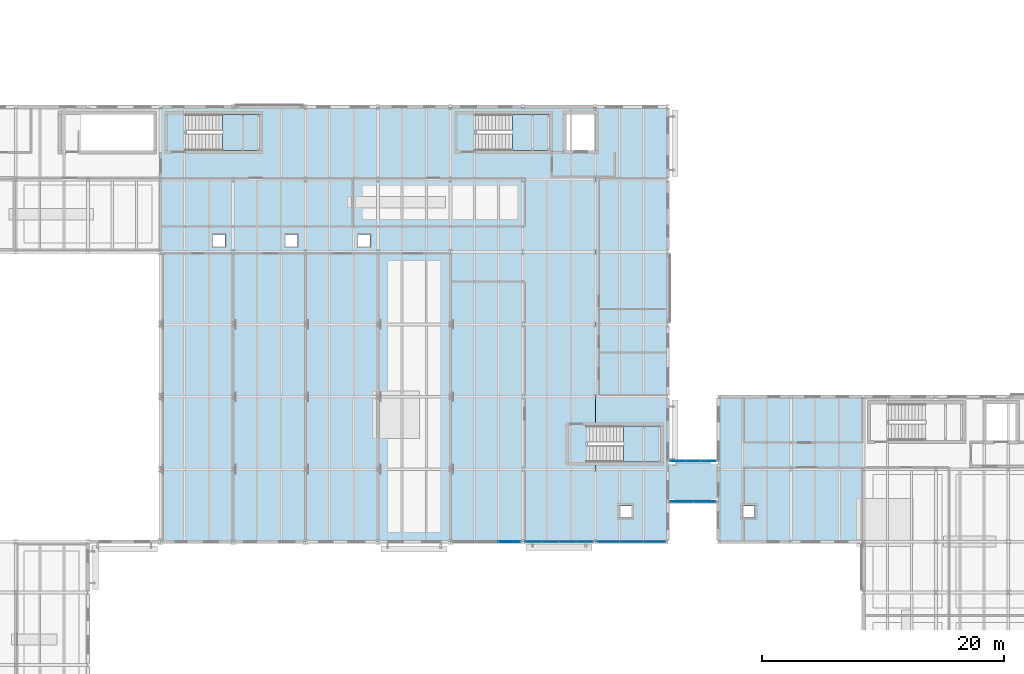
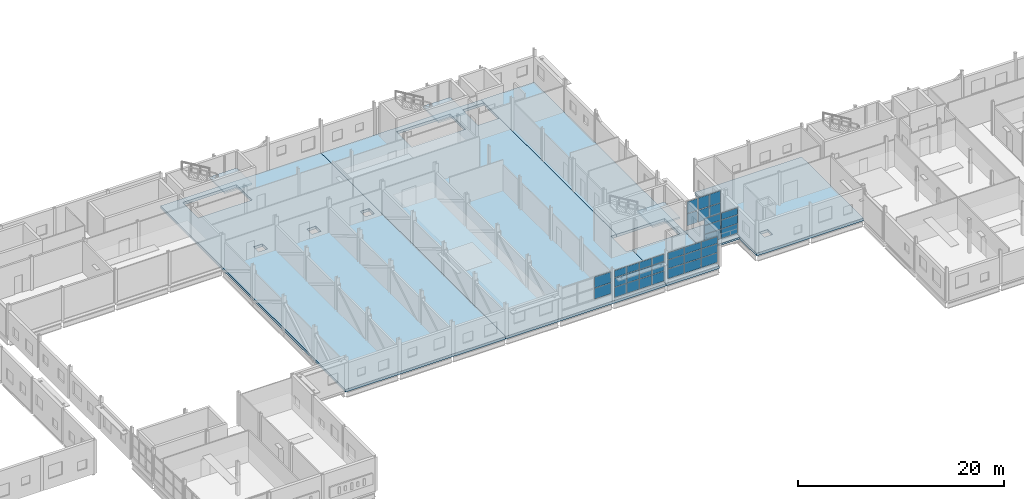
# One storey, part 47 of 92: 35 plates, 8 slabs, 8 elements without a shape of their own.
"""IFC4 building model written with IfcOpenShell, lengths in metres."""

from ifc_helpers import new_model, si_unit, direction, frame, origin, origin_2d, place, context, subcontext, project, spatial, polyline, rectangle, outline, extrude, material, layer, layer_set, type_object, element, aggregate, save


model = new_model("IFC4")

# Units and contexts
model_context = context("Model", 3, precision=1e-05, world=origin(), true_north=direction((0.0, 1.0)))
body_context = subcontext(model_context, "Body", "Model", "MODEL_VIEW")
ifc_project = project(units=[si_unit("LENGTHUNIT", "METRE"), si_unit("AREAUNIT", "SQUARE_METRE"), si_unit("VOLUMEUNIT", "CUBIC_METRE"), si_unit("PLANEANGLEUNIT", "RADIAN"), si_unit("MASSUNIT", "GRAM", prefix="KILO")], contexts=[model_context])

# Site, building, storey
site_placement = place(None, origin())
site = spatial("IfcSite", under=ifc_project, at=site_placement, CompositionType="ELEMENT")
building_placement = place(site_placement, origin())
building = spatial("IfcBuilding", under=site, at=building_placement, Name="Siltcreek Boulevard Central Fire Station", CompositionType="ELEMENT")
storey_placement = place(building_placement, frame((0.0, 0.0, 6.0)))
storey = spatial("IfcBuildingStorey", under=building, at=storey_placement, Name="L02", CompositionType="ELEMENT", Elevation=6.0)

# Curtain wall, plates
ifc_material_1 = material(Name="Anodized aluminum and low-E insulated glazing", Category="aluminium")
curtain_wall_type_1 = type_object("IfcCurtainWallType", Name="CW_SYS_25", PredefinedType="USERDEFINED", material=ifc_material_1)
curtain_wall_1_placement = place(storey_placement, origin())
curtain_wall_1 = element("IfcCurtainWall", 1, at=curtain_wall_1_placement, inside=storey, type_object=curtain_wall_type_1, Name="L02 V2 unitised curtain wall CW-024", ObjectType="CURTAIN WALL", PredefinedType="USERDEFINED")
ifc_material_2 = material(Name="Low-E double insulated glass unit", Category="glass")
ifc_layer_1 = layer(ifc_material_2, 0.028076171875, Name="Low-E double insulated glass unit")
ifc_layer_set_1 = layer_set([ifc_layer_1], Name="Low-E double insulated glass unit")
plate_type_1 = type_object("IfcPlateType", Name="CWP_GLZ_1", PredefinedType="CURTAIN_PANEL", material=ifc_layer_set_1)
plate_1_placement = place(storey_placement, frame((96.875, 18.0, 0.38525390625), z_axis=(0.0, 0.0, 1.0), x_axis=(1.0, 0.0, 0.0)))
plate_1 = element("IfcPlate", 2, at=plate_1_placement, type_object=plate_type_1, Name="CW-024 panel 1.1", PredefinedType="CURTAIN_PANEL", context=body_context, shape_type="SweptSolid", body=[
    extrude(rectangle(XDim=1.330078125, YDim=0.028076171875, at=origin_2d()), origin(), (0.0, 0.0, 1.0), 1.156005859375),
])
plate_2_placement = place(storey_placement, frame((96.875, 18.0, 1.606201171875), z_axis=(0.0, 0.0, 1.0), x_axis=(1.0, 0.0, 0.0)))
plate_2 = element("IfcPlate", 3, at=plate_2_placement, type_object=plate_type_1, Name="CW-024 panel 1.2", PredefinedType="CURTAIN_PANEL", context=body_context, shape_type="SweptSolid", body=[
    extrude(rectangle(XDim=1.330078125, YDim=0.028076171875, at=origin_2d()), origin(), (0.0, 0.0, 1.0), 1.056640625),
])
plate_3_placement = place(storey_placement, frame((96.875, 18.0, 2.727783203125), z_axis=(0.0, 0.0, 1.0), x_axis=(1.0, 0.0, 0.0)))
plate_3 = element("IfcPlate", 4, at=plate_3_placement, type_object=plate_type_1, Name="CW-024 panel 1.3", PredefinedType="CURTAIN_PANEL", context=body_context, shape_type="SweptSolid", body=[
    extrude(rectangle(XDim=1.330078125, YDim=0.028076171875, at=origin_2d()), origin(), (0.0, 0.0, 1.0), 0.826171875),
])
plate_4_placement = place(storey_placement, frame((98.2861328125, 18.0, 0.38525390625), z_axis=(0.0, 0.0, 1.0), x_axis=(1.0, 0.0, 0.0)))
plate_4 = element("IfcPlate", 5, at=plate_4_placement, type_object=plate_type_1, Name="CW-024 panel 2.1", PredefinedType="CURTAIN_PANEL", context=body_context, shape_type="SweptSolid", body=[
    extrude(rectangle(XDim=1.362548828125, YDim=0.028076171875, at=origin_2d()), origin(), (0.0, 0.0, 1.0), 1.156005859375),
])
plate_5_placement = place(storey_placement, frame((98.2861328125, 18.0, 1.606201171875), z_axis=(0.0, 0.0, 1.0), x_axis=(1.0, 0.0, 0.0)))
plate_5 = element("IfcPlate", 6, at=plate_5_placement, type_object=plate_type_1, Name="CW-024 panel 2.2", PredefinedType="CURTAIN_PANEL", context=body_context, shape_type="SweptSolid", body=[
    extrude(rectangle(XDim=1.362548828125, YDim=0.028076171875, at=origin_2d()), origin(), (0.0, 0.0, 1.0), 1.056640625),
])
plate_6_placement = place(storey_placement, frame((98.2861328125, 18.0, 2.727783203125), z_axis=(0.0, 0.0, 1.0), x_axis=(1.0, 0.0, 0.0)))
plate_6 = element("IfcPlate", 7, at=plate_6_placement, type_object=plate_type_1, Name="CW-024 panel 2.3", PredefinedType="CURTAIN_PANEL", context=body_context, shape_type="SweptSolid", body=[
    extrude(rectangle(XDim=1.362548828125, YDim=0.028076171875, at=origin_2d()), origin(), (0.0, 0.0, 1.0), 0.826171875),
])
plate_7_placement = place(storey_placement, frame((99.7138671875, 18.0, 0.38525390625), z_axis=(0.0, 0.0, 1.0), x_axis=(1.0, 0.0, 0.0)))
plate_7 = element("IfcPlate", 8, at=plate_7_placement, type_object=plate_type_1, Name="CW-024 panel 3.1", PredefinedType="CURTAIN_PANEL", context=body_context, shape_type="SweptSolid", body=[
    extrude(rectangle(XDim=1.362548828125, YDim=0.028076171875, at=origin_2d()), origin(), (0.0, 0.0, 1.0), 1.156005859375),
])
plate_8_placement = place(storey_placement, frame((99.7138671875, 18.0, 1.606201171875), z_axis=(0.0, 0.0, 1.0), x_axis=(1.0, 0.0, 0.0)))
plate_8 = element("IfcPlate", 9, at=plate_8_placement, type_object=plate_type_1, Name="CW-024 panel 3.2", PredefinedType="CURTAIN_PANEL", context=body_context, shape_type="SweptSolid", body=[
    extrude(rectangle(XDim=1.362548828125, YDim=0.028076171875, at=origin_2d()), origin(), (0.0, 0.0, 1.0), 1.056640625),
])
plate_9_placement = place(storey_placement, frame((99.7138671875, 18.0, 2.727783203125), z_axis=(0.0, 0.0, 1.0), x_axis=(1.0, 0.0, 0.0)))
plate_9 = element("IfcPlate", 10, at=plate_9_placement, type_object=plate_type_1, Name="CW-024 panel 3.3", PredefinedType="CURTAIN_PANEL", context=body_context, shape_type="SweptSolid", body=[
    extrude(rectangle(XDim=1.362548828125, YDim=0.028076171875, at=origin_2d()), origin(), (0.0, 0.0, 1.0), 0.826171875),
])
plate_10_placement = place(storey_placement, frame((101.125, 18.0, 0.38525390625), z_axis=(0.0, 0.0, 1.0), x_axis=(1.0, 0.0, 0.0)))
plate_10 = element("IfcPlate", 11, at=plate_10_placement, type_object=plate_type_1, Name="CW-024 panel 4.1", PredefinedType="CURTAIN_PANEL", context=body_context, shape_type="SweptSolid", body=[
    extrude(rectangle(XDim=1.330078125, YDim=0.028076171875, at=origin_2d()), origin(), (0.0, 0.0, 1.0), 1.156005859375),
])
plate_11_placement = place(storey_placement, frame((101.125, 18.0, 1.606201171875), z_axis=(0.0, 0.0, 1.0), x_axis=(1.0, 0.0, 0.0)))
plate_11 = element("IfcPlate", 12, at=plate_11_placement, type_object=plate_type_1, Name="CW-024 panel 4.2", PredefinedType="CURTAIN_PANEL", context=body_context, shape_type="SweptSolid", body=[
    extrude(rectangle(XDim=1.330078125, YDim=0.028076171875, at=origin_2d()), origin(), (0.0, 0.0, 1.0), 1.056640625),
])
plate_12_placement = place(storey_placement, frame((101.125, 18.0, 2.727783203125), z_axis=(0.0, 0.0, 1.0), x_axis=(1.0, 0.0, 0.0)))
plate_12 = element("IfcPlate", 13, at=plate_12_placement, type_object=plate_type_1, Name="CW-024 panel 4.3", PredefinedType="CURTAIN_PANEL", context=body_context, shape_type="SweptSolid", body=[
    extrude(rectangle(XDim=1.330078125, YDim=0.028076171875, at=origin_2d()), origin(), (0.0, 0.0, 1.0), 0.826171875),
])
aggregate(curtain_wall_1, [plate_1, plate_2, plate_3, plate_4, plate_5, plate_6, plate_7, plate_8, plate_9, plate_10, plate_11, plate_12])

curtain_wall_type_2 = type_object("IfcCurtainWallType", Name="CW_SYS_26", PredefinedType="USERDEFINED", material=ifc_material_1)
curtain_wall_2_placement = place(storey_placement, origin())
curtain_wall_2 = element("IfcCurtainWall", 14, at=curtain_wall_2_placement, inside=storey, type_object=curtain_wall_type_2, Name="L02 V2 unitised curtain wall CW-025", ObjectType="CURTAIN WALL", PredefinedType="USERDEFINED")
ifc_layer_2 = layer(ifc_material_2, 0.0380859375, Name="Low-E double insulated glass unit")
ifc_layer_set_2 = layer_set([ifc_layer_2], Name="Low-E double insulated glass unit")
plate_type_2 = type_object("IfcPlateType", Name="CWP_GLZ_2", PredefinedType="CURTAIN_PANEL", material=ifc_layer_set_2)
plate_13_placement = place(storey_placement, frame((103.111572265625, 18.0, 0.5), z_axis=(0.0, 0.0, 1.0), x_axis=(1.0, 0.0, 0.0)))
plate_13 = element("IfcPlate", 15, at=plate_13_placement, type_object=plate_type_2, Name="CW-025 panel 1.1", PredefinedType="CURTAIN_PANEL", context=body_context, shape_type="SweptSolid", body=[
    extrude(rectangle(XDim=1.813232421875, YDim=0.0380859375, at=origin_2d()), origin(), (0.0, 0.0, 1.0), 1.117919921875),
])
plate_14_placement = place(storey_placement, frame((103.111572265625, 18.0, 1.677978515625), z_axis=(0.0, 0.0, 1.0), x_axis=(1.0, 0.0, 0.0)))
plate_14 = element("IfcPlate", 16, at=plate_14_placement, type_object=plate_type_2, Name="CW-025 panel 1.2", PredefinedType="CURTAIN_PANEL", context=body_context, shape_type="SweptSolid", body=[
    extrude(rectangle(XDim=1.813232421875, YDim=0.0380859375, at=origin_2d()), origin(), (0.0, 0.0, 1.0), 1.02099609375),
])
plate_15_placement = place(storey_placement, frame((103.111572265625, 18.0, 2.7587890625), z_axis=(0.0, 0.0, 1.0), x_axis=(1.0, 0.0, 0.0)))
plate_15 = element("IfcPlate", 17, at=plate_15_placement, type_object=plate_type_2, Name="CW-025 panel 1.3", PredefinedType="CURTAIN_PANEL", context=body_context, shape_type="SweptSolid", body=[
    extrude(rectangle(XDim=1.813232421875, YDim=0.0380859375, at=origin_2d()), origin(), (0.0, 0.0, 1.0), 0.800048828125),
])
plate_16_placement = place(storey_placement, frame((105.0, 18.0, 0.5), z_axis=(0.0, 0.0, 1.0), x_axis=(1.0, 0.0, 0.0)))
plate_16 = element("IfcPlate", 18, at=plate_16_placement, type_object=plate_type_2, Name="CW-025 panel 2.1", PredefinedType="CURTAIN_PANEL", context=body_context, shape_type="SweptSolid", body=[
    extrude(rectangle(XDim=1.84326171875, YDim=0.0380859375, at=origin_2d()), origin(), (0.0, 0.0, 1.0), 1.117919921875),
])
plate_17_placement = place(storey_placement, frame((105.0, 18.0, 1.677978515625), z_axis=(0.0, 0.0, 1.0), x_axis=(1.0, 0.0, 0.0)))
plate_17 = element("IfcPlate", 19, at=plate_17_placement, type_object=plate_type_2, Name="CW-025 panel 2.2", PredefinedType="CURTAIN_PANEL", context=body_context, shape_type="SweptSolid", body=[
    extrude(rectangle(XDim=1.84326171875, YDim=0.0380859375, at=origin_2d()), origin(), (0.0, 0.0, 1.0), 1.02099609375),
])
plate_18_placement = place(storey_placement, frame((105.0, 18.0, 2.7587890625), z_axis=(0.0, 0.0, 1.0), x_axis=(1.0, 0.0, 0.0)))
plate_18 = element("IfcPlate", 20, at=plate_18_placement, type_object=plate_type_2, Name="CW-025 panel 2.3", PredefinedType="CURTAIN_PANEL", context=body_context, shape_type="SweptSolid", body=[
    extrude(rectangle(XDim=1.84326171875, YDim=0.0380859375, at=origin_2d()), origin(), (0.0, 0.0, 1.0), 0.800048828125),
])
plate_19_placement = place(storey_placement, frame((106.888427734375, 18.0, 0.5), z_axis=(0.0, 0.0, 1.0), x_axis=(1.0, 0.0, 0.0)))
plate_19 = element("IfcPlate", 21, at=plate_19_placement, type_object=plate_type_2, Name="CW-025 panel 3.1", PredefinedType="CURTAIN_PANEL", context=body_context, shape_type="SweptSolid", body=[
    extrude(rectangle(XDim=1.813232421875, YDim=0.0380859375, at=origin_2d()), origin(), (0.0, 0.0, 1.0), 1.117919921875),
])
plate_20_placement = place(storey_placement, frame((106.888427734375, 18.0, 1.677978515625), z_axis=(0.0, 0.0, 1.0), x_axis=(1.0, 0.0, 0.0)))
plate_20 = element("IfcPlate", 22, at=plate_20_placement, type_object=plate_type_2, Name="CW-025 panel 3.2", PredefinedType="CURTAIN_PANEL", context=body_context, shape_type="SweptSolid", body=[
    extrude(rectangle(XDim=1.813232421875, YDim=0.0380859375, at=origin_2d()), origin(), (0.0, 0.0, 1.0), 1.02099609375),
])
plate_21_placement = place(storey_placement, frame((106.888427734375, 18.0, 2.7587890625), z_axis=(0.0, 0.0, 1.0), x_axis=(1.0, 0.0, 0.0)))
plate_21 = element("IfcPlate", 23, at=plate_21_placement, type_object=plate_type_2, Name="CW-025 panel 3.3", PredefinedType="CURTAIN_PANEL", context=body_context, shape_type="SweptSolid", body=[
    extrude(rectangle(XDim=1.813232421875, YDim=0.0380859375, at=origin_2d()), origin(), (0.0, 0.0, 1.0), 0.800048828125),
])
aggregate(curtain_wall_2, [plate_13, plate_14, plate_15, plate_16, plate_17, plate_18, plate_19, plate_20, plate_21])

curtain_wall_type_3 = type_object("IfcCurtainWallType", Name="CW_SYS_14", PredefinedType="USERDEFINED", material=ifc_material_1)
curtain_wall_3_placement = place(storey_placement, origin())
curtain_wall_3 = element("IfcCurtainWall", 24, at=curtain_wall_3_placement, inside=storey, type_object=curtain_wall_type_3, Name="L02 V6 unitised curtain wall CW-193", ObjectType="CURTAIN WALL", PredefinedType="USERDEFINED")
plate_22_placement = place(storey_placement, frame((109.14501953125, 21.320068359375, 0.5), z_axis=(0.0, 0.0, 1.0), x_axis=(1.0, 0.0, 0.0)))
plate_22 = element("IfcPlate", 25, at=plate_22_placement, type_object=plate_type_2, Name="CW-193 panel 1.1", PredefinedType="CURTAIN_PANEL", context=body_context, shape_type="SweptSolid", body=[
    extrude(rectangle(XDim=1.85009765625, YDim=0.0380859375, at=origin_2d()), origin(), (0.0, 0.0, 1.0), 1.091796875),
])
plate_23_placement = place(storey_placement, frame((109.14501953125, 21.320068359375, 1.65185546875), z_axis=(0.0, 0.0, 1.0), x_axis=(1.0, 0.0, 0.0)))
plate_23 = element("IfcPlate", 26, at=plate_23_placement, type_object=plate_type_2, Name="CW-193 panel 1.2", PredefinedType="CURTAIN_PANEL", context=body_context, shape_type="SweptSolid", body=[
    extrude(rectangle(XDim=1.85009765625, YDim=0.0380859375, at=origin_2d()), origin(), (0.0, 0.0, 1.0), 0.997314453125),
])
plate_24_placement = place(storey_placement, frame((109.14501953125, 21.320068359375, 2.709228515625), z_axis=(0.0, 0.0, 1.0), x_axis=(1.0, 0.0, 0.0)))
plate_24 = element("IfcPlate", 27, at=plate_24_placement, type_object=plate_type_2, Name="CW-193 panel 1.3", PredefinedType="CURTAIN_PANEL", context=body_context, shape_type="SweptSolid", body=[
    extrude(rectangle(XDim=1.85009765625, YDim=0.0380859375, at=origin_2d()), origin(), (0.0, 0.0, 1.0), 0.78076171875),
])
plate_25_placement = place(storey_placement, frame((111.054931640625, 21.320068359375, 0.5), z_axis=(0.0, 0.0, 1.0), x_axis=(1.0, 0.0, 0.0)))
plate_25 = element("IfcPlate", 28, at=plate_25_placement, type_object=plate_type_2, Name="CW-193 panel 2.1", PredefinedType="CURTAIN_PANEL", context=body_context, shape_type="SweptSolid", body=[
    extrude(rectangle(XDim=1.85009765625, YDim=0.0380859375, at=origin_2d()), origin(), (0.0, 0.0, 1.0), 1.091796875),
])
plate_26_placement = place(storey_placement, frame((111.054931640625, 21.320068359375, 1.65185546875), z_axis=(0.0, 0.0, 1.0), x_axis=(1.0, 0.0, 0.0)))
plate_26 = element("IfcPlate", 29, at=plate_26_placement, type_object=plate_type_2, Name="CW-193 panel 2.2", PredefinedType="CURTAIN_PANEL", context=body_context, shape_type="SweptSolid", body=[
    extrude(rectangle(XDim=1.85009765625, YDim=0.0380859375, at=origin_2d()), origin(), (0.0, 0.0, 1.0), 0.997314453125),
])
plate_27_placement = place(storey_placement, frame((111.054931640625, 21.320068359375, 2.709228515625), z_axis=(0.0, 0.0, 1.0), x_axis=(1.0, 0.0, 0.0)))
plate_27 = element("IfcPlate", 30, at=plate_27_placement, type_object=plate_type_2, Name="CW-193 panel 2.3", PredefinedType="CURTAIN_PANEL", context=body_context, shape_type="SweptSolid", body=[
    extrude(rectangle(XDim=1.85009765625, YDim=0.0380859375, at=origin_2d()), origin(), (0.0, 0.0, 1.0), 0.78076171875),
])
aggregate(curtain_wall_3, [plate_22, plate_23, plate_24, plate_25, plate_26, plate_27])

curtain_wall_type_4 = type_object("IfcCurtainWallType", Name="CW_SYS_24", PredefinedType="USERDEFINED", material=ifc_material_1)
curtain_wall_4_placement = place(storey_placement, origin())
curtain_wall_4 = element("IfcCurtainWall", 31, at=curtain_wall_4_placement, inside=storey, type_object=curtain_wall_type_4, Name="L02 V2 unitised curtain wall CW-023", ObjectType="CURTAIN WALL", PredefinedType="USERDEFINED")
ifc_layer_3 = layer(ifc_material_2, 0.048095703125, Name="Low-E double insulated glass unit")
ifc_layer_set_3 = layer_set([ifc_layer_3], Name="Low-E double insulated glass unit")
plate_type_3 = type_object("IfcPlateType", Name="CWP_GLZ_3", PredefinedType="CURTAIN_PANEL", material=ifc_layer_set_3)
plate_28_placement = place(storey_placement, frame((94.888427734375, 18.0, 0.97998046875), z_axis=(0.0, 0.0, 1.0), x_axis=(1.0, 0.0, 0.0)))
plate_28 = element("IfcPlate", 32, at=plate_28_placement, type_object=plate_type_3, Name="CW-023 panel 3.1", PredefinedType="CURTAIN_PANEL", context=body_context, shape_type="SweptSolid", body=[
    extrude(rectangle(XDim=1.813232421875, YDim=0.048095703125, at=origin_2d()), origin(), (0.0, 0.0, 1.0), 1.259521484375),
])
plate_29_placement = place(storey_placement, frame((94.888427734375, 18.0, 2.29931640625), z_axis=(0.0, 0.0, 1.0), x_axis=(1.0, 0.0, 0.0)))
plate_29 = element("IfcPlate", 33, at=plate_29_placement, type_object=plate_type_3, Name="CW-023 panel 3.2", PredefinedType="CURTAIN_PANEL", context=body_context, shape_type="SweptSolid", body=[
    extrude(rectangle(XDim=1.813232421875, YDim=0.048095703125, at=origin_2d()), origin(), (0.0, 0.0, 1.0), 1.259521484375),
])
aggregate(curtain_wall_4, [plate_28, plate_29])

curtain_wall_type_5 = type_object("IfcCurtainWallType", Name="CW_SYS_15", PredefinedType="USERDEFINED", material=ifc_material_1)
curtain_wall_5_placement = place(storey_placement, origin())
curtain_wall_5 = element("IfcCurtainWall", 34, at=curtain_wall_5_placement, inside=storey, type_object=curtain_wall_type_5, Name="L02 V6 unitised curtain wall CW-194", ObjectType="CURTAIN WALL", PredefinedType="USERDEFINED")
plate_30_placement = place(storey_placement, frame((111.377197265625, 24.679931640625, 0.625), z_axis=(0.0, 0.0, 1.0), x_axis=(-1.0, 0.0, 0.0)))
plate_30 = element("IfcPlate", 35, at=plate_30_placement, type_object=plate_type_3, Name="CW-194 panel 1.1", PredefinedType="CURTAIN_PANEL", context=body_context, shape_type="SweptSolid", body=[
    extrude(rectangle(XDim=1.19580078125, YDim=0.048095703125, at=origin_2d()), origin(), (0.0, 0.0, 1.0), 1.3974609375),
])
plate_31_placement = place(storey_placement, frame((111.377197265625, 24.679931640625, 2.08740234375), z_axis=(0.0, 0.0, 1.0), x_axis=(-1.0, 0.0, 0.0)))
plate_31 = element("IfcPlate", 36, at=plate_31_placement, type_object=plate_type_3, Name="CW-194 panel 1.2", PredefinedType="CURTAIN_PANEL", context=body_context, shape_type="SweptSolid", body=[
    extrude(rectangle(XDim=1.19580078125, YDim=0.048095703125, at=origin_2d()), origin(), (0.0, 0.0, 1.0), 1.3974609375),
])
plate_32_placement = place(storey_placement, frame((110.10009765625, 24.679931640625, 0.625), z_axis=(0.0, 0.0, 1.0), x_axis=(-1.0, 0.0, 0.0)))
plate_32 = element("IfcPlate", 37, at=plate_32_placement, type_object=plate_type_3, Name="CW-194 panel 2.1", PredefinedType="CURTAIN_PANEL", context=body_context, shape_type="SweptSolid", body=[
    extrude(rectangle(XDim=1.228271484375, YDim=0.048095703125, at=origin_2d()), origin(), (0.0, 0.0, 1.0), 1.3974609375),
])
plate_33_placement = place(storey_placement, frame((110.10009765625, 24.679931640625, 2.08740234375), z_axis=(0.0, 0.0, 1.0), x_axis=(-1.0, 0.0, 0.0)))
plate_33 = element("IfcPlate", 38, at=plate_33_placement, type_object=plate_type_3, Name="CW-194 panel 2.2", PredefinedType="CURTAIN_PANEL", context=body_context, shape_type="SweptSolid", body=[
    extrude(rectangle(XDim=1.228271484375, YDim=0.048095703125, at=origin_2d()), origin(), (0.0, 0.0, 1.0), 1.3974609375),
])
plate_34_placement = place(storey_placement, frame((108.822998046875, 24.679931640625, 0.625), z_axis=(0.0, 0.0, 1.0), x_axis=(-1.0, 0.0, 0.0)))
plate_34 = element("IfcPlate", 39, at=plate_34_placement, type_object=plate_type_3, Name="CW-194 panel 3.1", PredefinedType="CURTAIN_PANEL", context=body_context, shape_type="SweptSolid", body=[
    extrude(rectangle(XDim=1.19580078125, YDim=0.048095703125, at=origin_2d()), origin(), (0.0, 0.0, 1.0), 1.3974609375),
])
plate_35_placement = place(storey_placement, frame((108.822998046875, 24.679931640625, 2.08740234375), z_axis=(0.0, 0.0, 1.0), x_axis=(-1.0, 0.0, 0.0)))
plate_35 = element("IfcPlate", 40, at=plate_35_placement, type_object=plate_type_3, Name="CW-194 panel 3.2", PredefinedType="CURTAIN_PANEL", context=body_context, shape_type="SweptSolid", body=[
    extrude(rectangle(XDim=1.19580078125, YDim=0.048095703125, at=origin_2d()), origin(), (0.0, 0.0, 1.0), 1.3974609375),
])
aggregate(curtain_wall_5, [plate_30, plate_31, plate_32, plate_33, plate_34, plate_35])

# Slabs
ifc_material_3 = material(Name="Concrete C35/45", Category="concrete")
ifc_layer_4 = layer(ifc_material_3, 0.219970703125, Name="Concrete C35/45")
ifc_layer_set_4 = layer_set([ifc_layer_4], Name="Concrete C35/45")
slab_type_1 = type_object("IfcSlabType", Name="SL_BRG220", PredefinedType="FLOOR", material=ifc_layer_set_4)
slab_1_placement = place(storey_placement, frame((0.0, 0.0, -0.219970703125)))
element("IfcSlab", 41, at=slab_1_placement, inside=storey, type_object=slab_type_1, Name="L02 seismic link bridge deck slab LB-SL01", PredefinedType="FLOOR", context=body_context, shape_type="SweptSolid", body=[
    extrude(outline(polyline([(108.0, 21.199951171875), (112.199951171875, 21.199951171875), (112.199951171875, 24.800048828125), (108.0, 24.800048828125), (108.0, 21.199951171875)])), origin(), (0.0, 0.0, 1.0), 0.219970703125),
])
ifc_layer_5 = layer(ifc_material_3, 0.320068359375, Name="Concrete C35/45")
ifc_layer_set_5 = layer_set([ifc_layer_5], Name="Concrete C35/45")
slab_type_2 = type_object("IfcSlabType", Name="SL_FLR320", PredefinedType="FLOOR", material=ifc_layer_set_5)
slab_2_placement = place(storey_placement, frame((0.0, 0.0, -0.320068359375)))
element("IfcSlab", 42, at=slab_2_placement, inside=storey, type_object=slab_type_2, Name="L02 V2 structural floor slab SL-022", PredefinedType="FLOOR", context=body_context, shape_type="SweptSolid", body=[
    extrude(outline(polyline([(66.0, 54.0), (84.0, 54.0), (84.0, 18.0), (66.0, 18.0), (66.0, 54.0)]), holes=[polyline([(71.35009765625, 42.449951171875), (71.35009765625, 43.449951171875), (70.35009765625, 43.449951171875), (70.35009765625, 42.449951171875), (71.35009765625, 42.449951171875)]), polyline([(77.35009765625, 42.449951171875), (77.35009765625, 43.449951171875), (76.35009765625, 43.449951171875), (76.35009765625, 42.449951171875), (77.35009765625, 42.449951171875)]), polyline([(68.159912109375, 50.39990234375), (74.199951171875, 50.39990234375), (74.199951171875, 53.39990234375), (68.159912109375, 53.39990234375), (68.159912109375, 50.39990234375)]), polyline([(82.35009765625, 42.449951171875), (83.35009765625, 42.449951171875), (83.35009765625, 43.449951171875), (82.35009765625, 43.449951171875), (82.35009765625, 42.449951171875)])]), origin(), (0.0, 0.0, 1.0), 0.320068359375),
])
slab_3_placement = place(storey_placement, frame((0.0, 0.0, -0.320068359375)))
element("IfcSlab", 43, at=slab_3_placement, inside=storey, type_object=slab_type_2, Name="L02 V2 structural floor slab SL-023", PredefinedType="FLOOR", context=body_context, shape_type="SweptSolid", body=[
    extrude(outline(polyline([(102.0, 18.0), (84.0, 18.0), (84.0, 54.0), (102.0, 54.0), (102.0, 53.39990234375), (99.60009765625, 53.39990234375), (99.60009765625, 50.39990234375), (102.0, 50.39990234375), (102.0, 27.60009765625), (101.360107421875, 27.60009765625), (101.360107421875, 24.60009765625), (102.0, 24.60009765625), (102.0, 18.0)]), holes=[polyline([(98.199951171875, 50.39990234375), (98.199951171875, 53.39990234375), (92.159912109375, 53.39990234375), (92.159912109375, 50.39990234375), (98.199951171875, 50.39990234375)])]), origin(), (0.0, 0.0, 1.0), 0.320068359375),
])
slab_4_placement = place(storey_placement, frame((0.0, 0.0, -0.320068359375)))
element("IfcSlab", 44, at=slab_4_placement, inside=storey, type_object=slab_type_2, Name="L02 V2 structural floor slab SL-024", PredefinedType="FLOOR", context=body_context, shape_type="SweptSolid", body=[
    extrude(outline(polyline([(108.0, 54.0), (108.0, 18.0), (102.0, 18.0), (102.0, 24.60009765625), (107.39990234375, 24.60009765625), (107.39990234375, 27.60009765625), (102.0, 27.60009765625), (102.0, 50.39990234375), (102.0, 53.39990234375), (102.0, 54.0), (108.0, 54.0)]), holes=[polyline([(104.97998046875, 20.97998046875), (104.02001953125, 20.97998046875), (104.02001953125, 20.02001953125), (104.97998046875, 20.02001953125), (104.97998046875, 20.97998046875)])]), origin(), (0.0, 0.0, 1.0), 0.320068359375),
])
slab_5_placement = place(storey_placement, frame((0.0, 0.0, -0.320068359375)))
element("IfcSlab", 45, at=slab_5_placement, inside=storey, type_object=slab_type_2, Name="L02 V6 structural floor slab SL-034", PredefinedType="FLOOR", context=body_context, shape_type="SweptSolid", body=[
    extrude(outline(polyline([(124.199951171875, 30.0), (124.199951171875, 18.0), (112.199951171875, 18.0), (112.199951171875, 30.0), (124.199951171875, 30.0)]), holes=[polyline([(115.179931640625, 20.97998046875), (114.219970703125, 20.97998046875), (114.219970703125, 20.02001953125), (115.179931640625, 20.02001953125), (115.179931640625, 20.97998046875)])]), origin(), (0.0, 0.0, 1.0), 0.320068359375),
])

# Stair, slab
ifc_material_4 = material(Name="Precast concrete C40/50", Category="concrete")
stair_type = type_object("IfcStairType", Name="ST_DOG_H40", PredefinedType="HALF_TURN_STAIR", material=ifc_material_4)
stair_1_placement = place(storey_placement, origin())
stair_1 = element("IfcStair", 46, at=stair_1_placement, inside=storey, type_object=stair_type, Name="L02 Enclosed exit stairway ST-V2A", PredefinedType="HALF_TURN_STAIR")
ifc_layer_6 = layer(ifc_material_4, 0.199951171875, Name="Precast concrete C40/50")
ifc_layer_set_6 = layer_set([ifc_layer_6], Name="Precast concrete C40/50")
slab_type_3 = type_object("IfcSlabType", Name="SL_LAND200", PredefinedType="LANDING", material=ifc_layer_set_6)
slab_6_placement = place(storey_placement, frame((0.0, 0.0, 1.800048828125)))
slab_6 = element("IfcSlab", 47, at=slab_6_placement, type_object=slab_type_3, Name="ST-V2A landing 1", PredefinedType="LANDING", context=body_context, shape_type="SweptSolid", body=[
    extrude(outline(polyline([(95.1298828125, 50.39990234375), (98.199951171875, 50.39990234375), (98.199951171875, 53.39990234375), (95.1298828125, 53.39990234375), (95.1298828125, 50.39990234375)])), origin(), (0.0, 0.0, 1.0), 0.199951171875),
])
aggregate(stair_1, [slab_6])

stair_2_placement = place(storey_placement, origin())
stair_2 = element("IfcStair", 48, at=stair_2_placement, inside=storey, type_object=stair_type, Name="L02 Enclosed exit stairway ST-V2B", PredefinedType="HALF_TURN_STAIR")
slab_7_placement = place(storey_placement, frame((0.0, 0.0, 1.800048828125)))
slab_7 = element("IfcSlab", 49, at=slab_7_placement, type_object=slab_type_3, Name="ST-V2B landing 1", PredefinedType="LANDING", context=body_context, shape_type="SweptSolid", body=[
    extrude(outline(polyline([(104.330078125, 24.60009765625), (107.39990234375, 24.60009765625), (107.39990234375, 27.60009765625), (104.330078125, 27.60009765625), (104.330078125, 24.60009765625)])), origin(), (0.0, 0.0, 1.0), 0.199951171875),
])
aggregate(stair_2, [slab_7])

stair_3_placement = place(storey_placement, origin())
stair_3 = element("IfcStair", 50, at=stair_3_placement, inside=storey, type_object=stair_type, Name="L02 Enclosed exit stairway ST-V2C", PredefinedType="HALF_TURN_STAIR")
slab_8_placement = place(storey_placement, frame((0.0, 0.0, 1.800048828125)))
slab_8 = element("IfcSlab", 51, at=slab_8_placement, type_object=slab_type_3, Name="ST-V2C landing 1", PredefinedType="LANDING", context=body_context, shape_type="SweptSolid", body=[
    extrude(outline(polyline([(71.1298828125, 50.39990234375), (74.199951171875, 50.39990234375), (74.199951171875, 53.39990234375), (71.1298828125, 53.39990234375), (71.1298828125, 50.39990234375)])), origin(), (0.0, 0.0, 1.0), 0.199951171875),
])
aggregate(stair_3, [slab_8])

save(model, "model.ifc")
